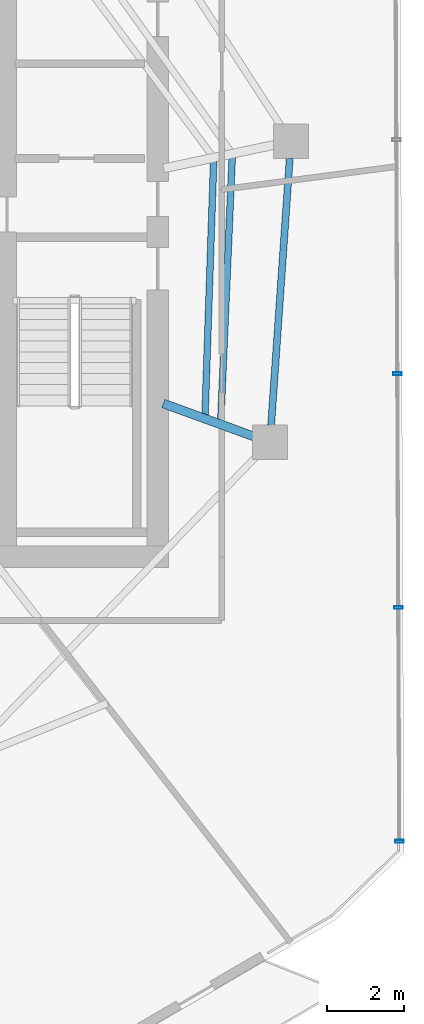
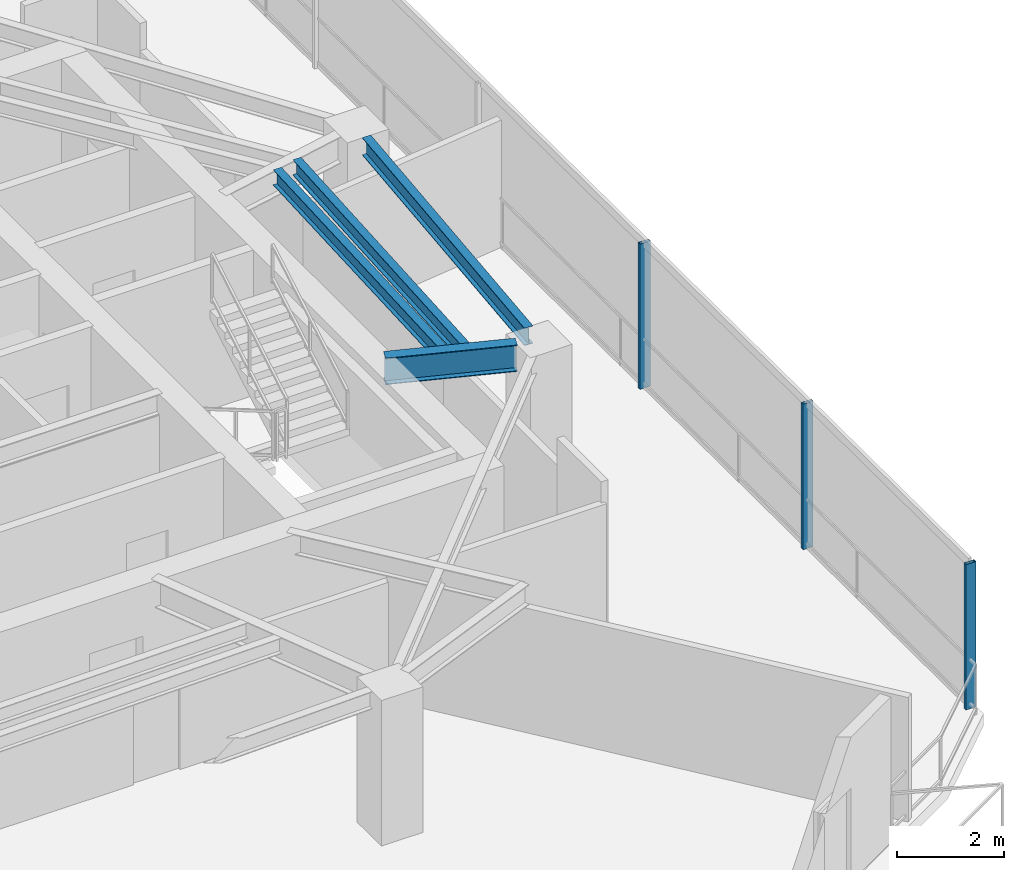
# One storey, part 7 of 19: 4 beams, 3 members, 1 element without a shape of its own.
"""IFC4 building model written with IfcOpenShell, lengths in metres."""

from ifc_helpers import new_model, si_unit, direction, frame, origin, origin_2d, place, context, subcontext, project, spatial, hollow_rectangle, i_section, extrude, material, layer, layer_set, material_profile, profile_set, type_object, element, aggregate, save


model = new_model("IFC4")

# Units and contexts
model_context = context("Model", 3, precision=1e-05, world=origin(), true_north=direction((0.0, 1.0)))
body_context = subcontext(model_context, "Body", "Model", "MODEL_VIEW")
ifc_project = project(units=[si_unit("LENGTHUNIT", "METRE"), si_unit("AREAUNIT", "SQUARE_METRE"), si_unit("VOLUMEUNIT", "CUBIC_METRE"), si_unit("PLANEANGLEUNIT", "RADIAN"), si_unit("MASSUNIT", "GRAM", prefix="KILO")], contexts=[model_context])

# Site, building, storey
site_placement = place(None, origin())
site = spatial("IfcSite", under=ifc_project, at=site_placement, CompositionType="ELEMENT")
building_placement = place(site_placement, origin())
building = spatial("IfcBuilding", under=site, at=building_placement, Name="Qarnah Convention Tower", CompositionType="ELEMENT")
storey_placement = place(building_placement, frame((0.0, 0.0, 180.60009765625)))
storey = spatial("IfcBuildingStorey", under=building, at=storey_placement, Name="L48", CompositionType="ELEMENT", Elevation=180.60009765625)

# Beams
ifc_material_1 = material(Name="Structural steel S355JR", Category="steel")
ifc_material_profile_1 = material_profile(ifc_material_1, i_section(OverallWidth=0.172119140625, OverallDepth=0.35595703125, WebThickness=0.007080078125, FlangeThickness=0.011962890625, at=origin_2d()), Name="W360X51")
ifc_profile_set_1 = profile_set([ifc_material_profile_1], Name="Structural steel S355JR")
beam_type_1 = type_object("IfcBeamType", Name="BM-JST-W360", PredefinedType="JOIST", material=ifc_profile_set_1)
beam_1_placement = place(storey_placement, frame((49.22607421875, 22.114013671875, 3.141845703125), z_axis=(0.043514871399, 0.99905277937, 0.0), x_axis=(-0.99905277937, 0.043514871399, 0.0)))
element("IfcBeam", 1, at=beam_1_placement, inside=storey, type_object=beam_type_1, Name="L48 joist BM-L48-SJST-09", PredefinedType="JOIST", context=body_context, shape_type="SweptSolid", body=[
    extrude(i_section(OverallWidth=0.172119140625, OverallDepth=0.35595703125, WebThickness=0.007080078125, FlangeThickness=0.011962890625, at=origin_2d()), origin(), (0.0, 0.0, 1.0), 6.822265625),
])
beam_2_placement = place(storey_placement, frame((48.820068359375, 22.260986328125, 3.141845703125), z_axis=(0.033775053136, 0.999429460135, 0.0), x_axis=(-0.999429460135, 0.033775053136, 0.0)))
element("IfcBeam", 2, at=beam_2_placement, inside=storey, type_object=beam_type_1, Name="L48 joist BM-L48-IJST-09", PredefinedType="JOIST", context=body_context, shape_type="SweptSolid", body=[
    extrude(i_section(OverallWidth=0.172119140625, OverallDepth=0.35595703125, WebThickness=0.007080078125, FlangeThickness=0.011962890625, at=origin_2d()), origin(), (0.0, 0.0, 1.0), 6.570556640625),
])
ifc_material_profile_2 = material_profile(ifc_material_1, i_section(OverallWidth=0.22802734375, OverallDepth=0.60791015625, WebThickness=0.010986328125, FlangeThickness=0.01708984375, at=origin_2d()), Name="W610X113")
ifc_profile_set_2 = profile_set([ifc_material_profile_2], Name="Structural steel S355JR")
beam_type_2 = type_object("IfcBeamType", Name="BM-RAD-W610B", PredefinedType="BEAM", material=ifc_profile_set_2)
beam_3_placement = place(storey_placement, frame((47.740966796875, 22.56298828125, 3.015869140625), z_axis=(0.939707956932, -0.341978004671, 0.0), x_axis=(0.341978004671, 0.939707956932, 0.0)))
element("IfcBeam", 3, at=beam_3_placement, inside=storey, type_object=beam_type_2, Name="L48 beam BM-L48-RAD-09", PredefinedType="BEAM", context=body_context, shape_type="SweptSolid", body=[
    extrude(i_section(OverallWidth=0.22802734375, OverallDepth=0.60791015625, WebThickness=0.010986328125, FlangeThickness=0.01708984375, at=origin_2d()), origin(), (0.0, 0.0, 1.0), 2.5029296875),
])
ifc_material_profile_3 = material_profile(ifc_material_1, i_section(OverallWidth=0.179931640625, OverallDepth=0.39990234375, WebThickness=0.009033203125, FlangeThickness=0.013916015625, at=origin_2d()), Name="IPE400")
ifc_profile_set_3 = profile_set([ifc_material_profile_3], Name="Structural steel S355JR")
beam_type_3 = type_object("IfcBeamType", Name="BM-SPN-IPE400", PredefinedType="SPANDREL", material=ifc_profile_set_3)
beam_4_placement = place(storey_placement, frame((50.528076171875, 21.9990234375, 3.119873046875), z_axis=(0.069635000818, 0.997572537042, 0.0), x_axis=(-0.997572537042, 0.069635000818, 0.0)))
element("IfcBeam", 4, at=beam_4_placement, inside=storey, type_object=beam_type_3, Name="L48 spandrel BM-L48-SPN-09", PredefinedType="SPANDREL", context=body_context, shape_type="SweptSolid", body=[
    extrude(i_section(OverallWidth=0.179931640625, OverallDepth=0.39990234375, WebThickness=0.009033203125, FlangeThickness=0.013916015625, at=origin_2d()), origin(), (0.0, 0.0, 1.0), 6.9208984375),
])

# Curtain wall, members
ifc_material_2 = material(Name="Tempered Low-E dark glass", Category="glass")
ifc_layer = layer(ifc_material_2, 0.174072265625)
ifc_layer_set = layer_set([ifc_layer], Name="Tempered Low-E dark glass")
curtain_wall_type = type_object("IfcCurtainWallType", Name="CWS-04", PredefinedType="NOTDEFINED", material=ifc_layer_set)
curtain_wall_placement = place(storey_placement, origin())
curtain_wall = element("IfcCurtainWall", 5, at=curtain_wall_placement, inside=storey, type_object=curtain_wall_type, Name="L48 unitised curtain wall CW-L48-F2", PredefinedType="NOTDEFINED")
ifc_material_3 = material(Name="Black anodised aluminium", Category="aluminium")
ifc_material_profile_4 = material_profile(ifc_material_3, hollow_rectangle(XDim=0.074951171875, YDim=0.219970703125, WallThickness=0.0048828125, at=origin_2d()), Name="MUL-75X220")
ifc_profile_set_4 = profile_set([ifc_material_profile_4], Name="Black anodised aluminium")
member_type = type_object("IfcMemberType", Name="MUL-T4", PredefinedType="MULLION", material=ifc_profile_set_4)
member_1_placement = place(storey_placement, frame((53.792236328125, 23.3359375, 0.0), z_axis=(0.0, 0.0, 1.0), x_axis=(0.004200384293, -0.999991178347, 0.0)))
member_1 = element("IfcMember", 6, at=member_1_placement, type_object=member_type, Name="CW-L48-F2 mullion 4", PredefinedType="MULLION", context=body_context, shape_type="SweptSolid", body=[
    extrude(hollow_rectangle(XDim=0.074951171875, YDim=0.219970703125, WallThickness=0.0048828125, at=origin_2d()), origin(), (0.0, 0.0, 1.0), 3.31982421875),
])
member_2_placement = place(storey_placement, frame((53.817626953125, 17.2890625, 0.0), z_axis=(0.0, 0.0, 1.0), x_axis=(0.004200384293, -0.999991178347, 0.0)))
member_2 = element("IfcMember", 7, at=member_2_placement, type_object=member_type, Name="CW-L48-F2 mullion 5", PredefinedType="MULLION", context=body_context, shape_type="SweptSolid", body=[
    extrude(hollow_rectangle(XDim=0.074951171875, YDim=0.219970703125, WallThickness=0.0048828125, at=origin_2d()), origin(), (0.0, 0.0, 1.0), 3.31982421875),
])
member_3_placement = place(storey_placement, frame((53.843017578125, 11.241943359375, 0.0), z_axis=(0.0, 0.0, 1.0), x_axis=(0.004200384293, -0.999991178347, 0.0)))
member_3 = element("IfcMember", 8, at=member_3_placement, type_object=member_type, Name="CW-L48-F2 mullion 6", PredefinedType="MULLION", context=body_context, shape_type="SweptSolid", body=[
    extrude(hollow_rectangle(XDim=0.074951171875, YDim=0.219970703125, WallThickness=0.0048828125, at=origin_2d()), origin(), (0.0, 0.0, 1.0), 3.31982421875),
])
aggregate(curtain_wall, [member_1, member_2, member_3])

save(model, "model.ifc")
